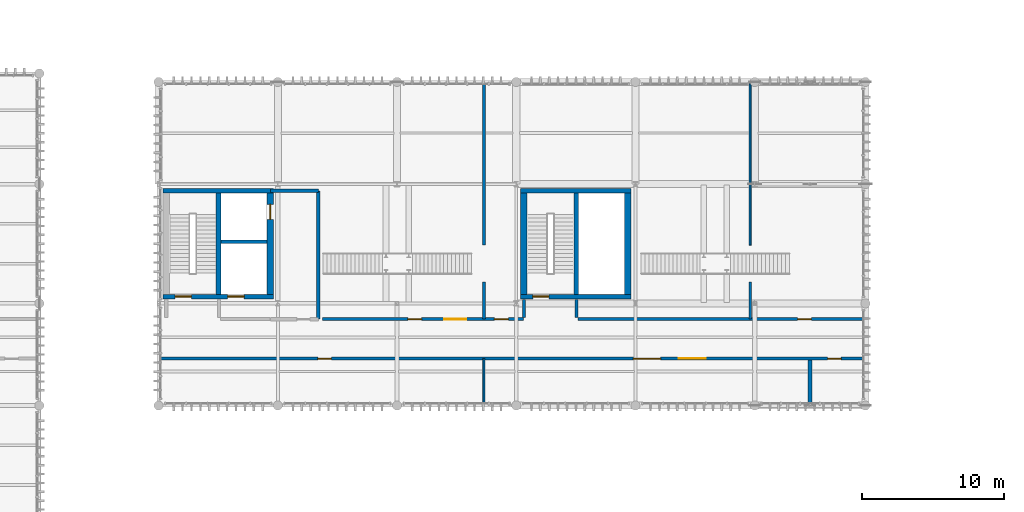
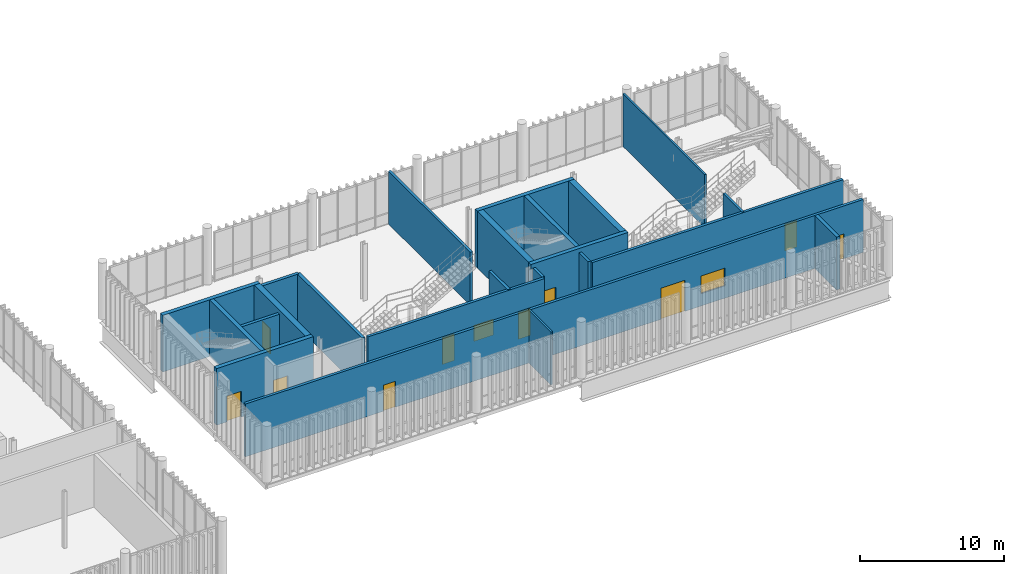
# One storey, part 73 of 86: 23 walls, 10 doors, 2 windows, 12 openings.
"""IFC4 building model written with IfcOpenShell, lengths in metres."""

from ifc_helpers import new_model, si_unit, direction, frame, frame_2d, origin_with_axes, place, context, subcontext, project, spatial, rectangle, extrude, material, layer, layer_set, type_object, element, fill, save


model = new_model("IFC4")

# Units and contexts
model_context = context("Model", 3, precision=1e-05, world=origin_with_axes(), true_north=direction((0.0, 1.0)))
body_context = subcontext(model_context, "Body", "Model", "MODEL_VIEW")
ifc_project = project(units=[si_unit("LENGTHUNIT", "METRE"), si_unit("AREAUNIT", "SQUARE_METRE"), si_unit("VOLUMEUNIT", "CUBIC_METRE"), si_unit("PLANEANGLEUNIT", "RADIAN"), si_unit("MASSUNIT", "GRAM", prefix="KILO"), si_unit("THERMODYNAMICTEMPERATUREUNIT", "KELVIN")], contexts=[model_context])

# Site, building, storey
site_placement = place(None, origin_with_axes())
site = spatial("IfcSite", under=ifc_project, at=site_placement, CompositionType="ELEMENT")
building_placement = place(site_placement, origin_with_axes())
building = spatial("IfcBuilding", under=site, at=building_placement, Name="Montbau Bow Law Courts", CompositionType="ELEMENT")
storey_placement = place(building_placement, frame((0.0, 0.0, 29.7), z_axis=(0.0, 0.0, 1.0), x_axis=(1.0, 0.0, 0.0)))
storey = spatial("IfcBuildingStorey", under=building, at=storey_placement, Name="L06", CompositionType="ELEMENT", Elevation=29.7)

# Wall, opening, door
ifc_material_1 = material(Name="Concrete CSA A23.1 f'c 45 MPa", Category="concrete")
ifc_layer_1 = layer(ifc_material_1, 0.45, Name="Shear Wall", Category="concrete")
ifc_layer_set_1 = layer_set([ifc_layer_1], Name="Concrete CSA A23.1 f'c 45 MPa")
wall_type_1 = type_object("IfcWallType", Name="W-COR-02", PredefinedType="SHEAR", material=ifc_layer_set_1)
wall_1_placement = place(None, frame((63.06, 46.84, 29.7), z_axis=(0.0, 0.0, 1.0), x_axis=(0.0, 1.0, 0.0)))
wall_1 = element("IfcWall", 1, at=wall_1_placement, inside=storey, type_object=wall_type_1, Name="WC-L06-0198:wal_0265", PredefinedType="SHEAR", context=body_context, shape_type="SweptSolid", body=[
    extrude(rectangle(XDim=7.119999999999997, YDim=0.45, at=frame_2d((3.56, 0.0), x_axis=(1.0, 0.0))), origin_with_axes(), (0.0, 0.0, 1.0), 4.8),
])
opening_1_placement = place(None, frame((63.06, 52.64, 29.7), z_axis=(0.0, 0.0, 1.0), x_axis=(0.0, 1.0, 0.0)))
opening_1 = element("IfcOpeningElement", 2, at=opening_1_placement, cuts=wall_1, Name="OP-LD-L06-EL-J3", PredefinedType="OPENING", context=body_context, shape_type="SweptSolid", body=[
    extrude(rectangle(XDim=1.06, YDim=2.16, at=frame_2d((0.0, 1.08), x_axis=(1.0, 0.0))), frame((0.0, 0.235, 0.0), z_axis=(0.0, -1.0, 0.0), x_axis=(1.0, 0.0, 0.0)), (0.0, 0.0, 1.0), 0.47),
])
ifc_material_2 = material(Name="Bronze-Clad Judicial Elevator Landing Door", Category="steel")
door_type_1 = type_object("IfcDoorType", Name="LD-JUD-01", OperationType="NOTDEFINED", ParameterTakesPrecedence=False, PredefinedType="DOOR", material=ifc_material_2)
door_1_placement = place(None, frame((63.06, 52.64, 29.7), z_axis=(0.0, 0.0, 1.0), x_axis=(0.0, 1.0, 0.0)))
door_1 = element("IfcDoor", 3, at=door_1_placement, inside=storey, type_object=door_type_1, Name="LD-L06-EL-J3:dor_0119", OperationType="SLIDING_TO_LEFT", OverallHeight=2.16, OverallWidth=1.06, PredefinedType="DOOR", context=body_context, shape_type="SweptSolid", body=[
    extrude(rectangle(XDim=1.06, YDim=2.16, at=frame_2d((0.0, 1.08), x_axis=(1.0, 0.0))), frame((0.0, 0.04, 0.0), z_axis=(0.0, -1.0, 0.0), x_axis=(1.0, 0.0, 0.0)), (0.0, 0.0, 1.0), 0.08),
])
fill(opening_1, door_1)

# Walls
for number, where, z_axis, x_axis, name in (
    (4, (88.26, 46.84, 29.7), (0.0, 0.0, 1.0), (0.0, 1.0, 0.0), "WC-L06-0251:wal_0318"),
    (5, (80.94, 53.96, 29.7), (0.0, 0.0, 1.0), (0.0, -1.0, 0.0), "WC-L06-0252:wal_0319"),
):
    element("IfcWall", number, at=place(None, frame(where, z_axis=z_axis, x_axis=x_axis)), inside=storey, type_object=wall_type_1, Name=name, PredefinedType="SHEAR", context=body_context, shape_type="SweptSolid", body=[
        extrude(rectangle(XDim=7.119999999999997, YDim=0.45, at=frame_2d((3.56, 0.0), x_axis=(1.0, 0.0))), origin_with_axes(), (0.0, 0.0, 1.0), 4.8),
    ])

# Wall, openings, doors
ifc_layer_2 = layer(ifc_material_1, 0.32, Name="Shear Wall", Category="concrete")
ifc_layer_set_2 = layer_set([ifc_layer_2], Name="Concrete CSA A23.1 f'c 45 MPa")
wall_type_2 = type_object("IfcWallType", Name="W-COR-05", PredefinedType="SHEAR", material=ifc_layer_set_2)
wall_2_placement = place(None, frame((55.515, 46.68, 29.7), z_axis=(0.0, 0.0, 1.0), x_axis=(1.0, 0.0, 0.0)))
wall_2 = element("IfcWall", 6, at=wall_2_placement, inside=storey, type_object=wall_type_2, Name="WC-L06-0196:wal_0263", PredefinedType="SHEAR", context=body_context, shape_type="SweptSolid", body=[
    extrude(rectangle(XDim=7.769999999999996, YDim=0.32, at=frame_2d((3.885, 0.0), x_axis=(1.0, 0.0))), origin_with_axes(), (0.0, 0.0, 1.0), 4.8),
])
opening_2_placement = place(None, frame((56.935, 46.68, 29.7), z_axis=(0.0, 0.0, 1.0), x_axis=(1.0, 0.0, 0.0)))
opening_2 = element("IfcOpeningElement", 7, at=opening_2_placement, cuts=wall_2, Name="OP-D-L06-ST-P4", PredefinedType="OPENING", context=body_context, shape_type="SweptSolid", body=[
    extrude(rectangle(XDim=1.14, YDim=2.18, at=frame_2d((0.0, 1.09), x_axis=(1.0, 0.0))), frame((0.0, 0.17, 0.0), z_axis=(0.0, -1.0, 0.0), x_axis=(1.0, 0.0, 0.0)), (0.0, 0.0, 1.0), 0.34),
])
opening_3_placement = place(None, frame((60.65, 46.68, 29.7), z_axis=(0.0, 0.0, 1.0), x_axis=(1.0, 0.0, 0.0)))
opening_3 = element("IfcOpeningElement", 8, at=opening_3_placement, cuts=wall_2, Name="OP-LD-L06-EL-P3", PredefinedType="OPENING", context=body_context, shape_type="SweptSolid", body=[
    extrude(rectangle(XDim=1.16, YDim=2.2, at=frame_2d((0.0, 1.1), x_axis=(1.0, 0.0))), frame((0.0, 0.17, 0.0), z_axis=(0.0, -1.0, 0.0), x_axis=(1.0, 0.0, 0.0)), (0.0, 0.0, 1.0), 0.34),
])
ifc_material_3 = material(Name="1.5 h Fire-Rated Hollow-Metal Exit Stair Door", Category="steel")
door_type_2 = type_object("IfcDoorType", Name="D-ST-01", OperationType="NOTDEFINED", ParameterTakesPrecedence=False, PredefinedType="DOOR", material=ifc_material_3)
door_2_placement = place(None, frame((56.935, 46.68, 29.7), z_axis=(0.0, 0.0, 1.0), x_axis=(-1.0, 0.0, 0.0)))
door_2 = element("IfcDoor", 9, at=door_2_placement, inside=storey, type_object=door_type_2, Name="D-L06-ST-P4:dor_0117", OperationType="SINGLE_SWING_RIGHT", OverallHeight=2.18, OverallWidth=1.14, PredefinedType="DOOR", context=body_context, shape_type="SweptSolid", body=[
    extrude(rectangle(XDim=1.14, YDim=2.18, at=frame_2d((0.0, 1.09), x_axis=(1.0, 0.0))), frame((0.0, 0.04, 0.0), z_axis=(0.0, -1.0, 0.0), x_axis=(1.0, 0.0, 0.0)), (0.0, 0.0, 1.0), 0.08),
])
fill(opening_2, door_2)
ifc_material_4 = material(Name="Brushed Stainless Steel Elevator Landing Door", Category="steel")
door_type_3 = type_object("IfcDoorType", Name="LD-PUB-01", OperationType="NOTDEFINED", ParameterTakesPrecedence=False, PredefinedType="DOOR", material=ifc_material_4)
door_3_placement = place(None, frame((60.65, 46.68, 29.7), z_axis=(0.0, 0.0, 1.0), x_axis=(-1.0, 0.0, 0.0)))
door_3 = element("IfcDoor", 10, at=door_3_placement, inside=storey, type_object=door_type_3, Name="LD-L06-EL-P3:dor_0118", OperationType="SLIDING_TO_LEFT", OverallHeight=2.2, OverallWidth=1.16, PredefinedType="DOOR", context=body_context, shape_type="SweptSolid", body=[
    extrude(rectangle(XDim=1.16, YDim=2.2, at=frame_2d((0.0, 1.1), x_axis=(1.0, 0.0))), frame((0.0, 0.04, 0.0), z_axis=(0.0, -1.0, 0.0), x_axis=(1.0, 0.0, 0.0)), (0.0, 0.0, 1.0), 0.08),
])
fill(opening_3, door_3)

# Walls
wall_3_placement = place(None, frame((63.285, 54.12, 29.7), z_axis=(0.0, 0.0, 1.0), x_axis=(-1.0, 0.0, 0.0)))
element("IfcWall", 11, at=wall_3_placement, inside=storey, type_object=wall_type_2, Name="WC-L06-0197:wal_0264", PredefinedType="SHEAR", context=body_context, shape_type="SweptSolid", body=[
    extrude(rectangle(XDim=7.769999999999996, YDim=0.32, at=frame_2d((3.885, 0.0), x_axis=(1.0, 0.0))), origin_with_axes(), (0.0, 0.0, 1.0), 4.8),
])
wall_4_placement = place(None, frame((59.42, 46.84, 29.7), z_axis=(0.0, 0.0, 1.0), x_axis=(0.0, 1.0, 0.0)))
element("IfcWall", 12, at=wall_4_placement, inside=storey, type_object=wall_type_2, Name="WS-L06-0200:wal_0267", PredefinedType="SHEAR", context=body_context, shape_type="SweptSolid", body=[
    extrude(rectangle(XDim=7.119999999999997, YDim=0.32, at=frame_2d((3.56, 0.0), x_axis=(1.0, 0.0))), origin_with_axes(), (0.0, 0.0, 1.0), 4.8),
])

# Wall, opening, door
wall_5_placement = place(None, frame((80.715, 46.68, 29.7), z_axis=(0.0, 0.0, 1.0), x_axis=(1.0, 0.0, 0.0)))
wall_5 = element("IfcWall", 13, at=wall_5_placement, inside=storey, type_object=wall_type_2, Name="WC-L06-0249:wal_0316", PredefinedType="SHEAR", context=body_context, shape_type="SweptSolid", body=[
    extrude(rectangle(XDim=7.769999999999996, YDim=0.32, at=frame_2d((3.885, 0.0), x_axis=(1.0, 0.0))), origin_with_axes(), (0.0, 0.0, 1.0), 4.8),
])
opening_4_placement = place(None, frame((82.135, 46.68, 29.7), z_axis=(0.0, 0.0, 1.0), x_axis=(1.0, 0.0, 0.0)))
opening_4 = element("IfcOpeningElement", 14, at=opening_4_placement, cuts=wall_5, Name="OP-D-L06-ST-P3", PredefinedType="OPENING", context=body_context, shape_type="SweptSolid", body=[
    extrude(rectangle(XDim=1.14, YDim=2.18, at=frame_2d((0.0, 1.09), x_axis=(1.0, 0.0))), frame((0.0, 0.17, 0.0), z_axis=(0.0, -1.0, 0.0), x_axis=(1.0, 0.0, 0.0)), (0.0, 0.0, 1.0), 0.34),
])
door_4_placement = place(None, frame((82.135, 46.68, 29.7), z_axis=(0.0, 0.0, 1.0), x_axis=(-1.0, 0.0, 0.0)))
door_4 = element("IfcDoor", 15, at=door_4_placement, inside=storey, type_object=door_type_2, Name="D-L06-ST-P3:dor_0132", OperationType="SINGLE_SWING_RIGHT", OverallHeight=2.18, OverallWidth=1.14, PredefinedType="DOOR", context=body_context, shape_type="SweptSolid", body=[
    extrude(rectangle(XDim=1.14, YDim=2.18, at=frame_2d((0.0, 1.09), x_axis=(1.0, 0.0))), frame((0.0, 0.04, 0.0), z_axis=(0.0, -1.0, 0.0), x_axis=(1.0, 0.0, 0.0)), (0.0, 0.0, 1.0), 0.08),
])
fill(opening_4, door_4)

# Walls
wall_6_placement = place(None, frame((88.485, 54.12, 29.7), z_axis=(0.0, 0.0, 1.0), x_axis=(-1.0, 0.0, 0.0)))
element("IfcWall", 16, at=wall_6_placement, inside=storey, type_object=wall_type_2, Name="WC-L06-0250:wal_0317", PredefinedType="SHEAR", context=body_context, shape_type="SweptSolid", body=[
    extrude(rectangle(XDim=7.769999999999996, YDim=0.32, at=frame_2d((3.885, 0.0), x_axis=(1.0, 0.0))), origin_with_axes(), (0.0, 0.0, 1.0), 4.8),
])
wall_7_placement = place(None, frame((84.62, 46.84, 29.7), z_axis=(0.0, 0.0, 1.0), x_axis=(0.0, 1.0, 0.0)))
element("IfcWall", 17, at=wall_7_placement, inside=storey, type_object=wall_type_2, Name="WS-L06-0253:wal_0320", PredefinedType="SHEAR", context=body_context, shape_type="SweptSolid", body=[
    extrude(rectangle(XDim=7.119999999999997, YDim=0.32, at=frame_2d((3.56, 0.0), x_axis=(1.0, 0.0))), origin_with_axes(), (0.0, 0.0, 1.0), 4.8),
])
ifc_material_5 = material(Name="Double-Stud Acoustic Plumbing Chase Gypsum Assembly", Category="gypsum")
ifc_layer_3 = layer(ifc_material_5, 0.26, Name="Plumbing Wall", Category="gypsum")
ifc_layer_set_3 = layer_set([ifc_layer_3], Name="Double-Stud Acoustic Plumbing Chase Gypsum Assembly")
wall_type_3 = type_object("IfcWallType", Name="W-PLM-01", PredefinedType="PLUMBINGWALL", material=ifc_layer_set_3)
wall_8_placement = place(None, frame((101.09, 39.18, 29.7), z_axis=(0.0, 0.0, 1.0), x_axis=(0.0, 1.0, 0.0)))
element("IfcWall", 18, at=wall_8_placement, inside=storey, type_object=wall_type_3, Name="WD-L06-0891:wal_0958", PredefinedType="PLUMBINGWALL", context=body_context, shape_type="SweptSolid", body=[
    extrude(rectangle(XDim=3.030000000000001, YDim=0.26, at=frame_2d((1.515, 0.0), x_axis=(1.0, 0.0))), origin_with_axes(), (0.0, 0.0, 1.0), 4.48),
])
ifc_material_6 = material(Name="2 h Shaft and Exit-Passage Fire Separation Partition", Category="gypsum")
ifc_layer_4 = layer(ifc_material_6, 0.25, Name="Partition", Category="gypsum")
ifc_layer_set_4 = layer_set([ifc_layer_4], Name="2 h Shaft and Exit-Passage Fire Separation Partition")
wall_type_4 = type_object("IfcWallType", Name="W-PRT-01", PredefinedType="PARTITIONING", material=ifc_layer_set_4)
wall_9_placement = place(None, frame((59.58, 50.549, 29.7), z_axis=(0.0, 0.0, 1.0), x_axis=(1.0, 0.0, 0.0)))
element("IfcWall", 19, at=wall_9_placement, inside=storey, type_object=wall_type_4, Name="WS-L06-0201:wal_0268", PredefinedType="PARTITIONING", context=body_context, shape_type="SweptSolid", body=[
    extrude(rectangle(XDim=3.2550000000000026, YDim=0.25, at=frame_2d((1.6275, 0.0), x_axis=(1.0, 0.0))), origin_with_axes(), (0.0, 0.0, 1.0), 4.48),
])
wall_10_placement = place(None, frame((66.46, 45.09, 29.7), z_axis=(0.0, 0.0, 1.0), x_axis=(0.0, 1.0, 0.0)))
element("IfcWall", 20, at=wall_10_placement, inside=storey, type_object=wall_type_4, Name="WEL-L06-0202:wal_0269", PredefinedType="PARTITIONING", context=body_context, shape_type="SweptSolid", body=[
    extrude(rectangle(XDim=9.029999999999994, YDim=0.25, at=frame_2d((4.515, 0.0), x_axis=(1.0, 0.0))), origin_with_axes(), (0.0, 0.0, 1.0), 4.48),
])
wall_11_placement = place(None, frame((63.1, 54.12, 29.7), z_axis=(0.0, 0.0, 1.0), x_axis=(1.0, 0.0, 0.0)))
element("IfcWall", 21, at=wall_11_placement, inside=storey, type_object=wall_type_4, Name="WEL-L06-0203:wal_0270", PredefinedType="PARTITIONING", context=body_context, shape_type="SweptSolid", body=[
    extrude(rectangle(XDim=3.3599999999999923, YDim=0.25, at=frame_2d((1.68, 0.0), x_axis=(1.0, 0.0))), origin_with_axes(), (0.0, 0.0, 1.0), 4.48),
])
ifc_material_7 = material(Name="STC-60 High-Acoustic Courtroom Perimeter Partition", Category="gypsum")
ifc_layer_5 = layer(ifc_material_7, 0.22, Name="Partition", Category="gypsum")
ifc_layer_set_5 = layer_set([ifc_layer_5], Name="STC-60 High-Acoustic Courtroom Perimeter Partition")
wall_type_5 = type_object("IfcWallType", Name="W-PRT-02", PredefinedType="PARTITIONING", material=ifc_layer_set_5)
for number, where, z_axis, x_axis, name in (
    (22, (80.94, 45.22, 29.7), (0.0, 0.0, 1.0), (0.0, 1.0, 0.0), "WCX-L06-0885:wal_0952"),
    (23, (84.65, 45.22, 29.7), (0.0, 0.0, 1.0), (0.0, 1.0, 0.0), "WCX-L06-0886:wal_0953"),
):
    element("IfcWall", number, at=place(None, frame(where, z_axis=z_axis, x_axis=x_axis)), inside=storey, type_object=wall_type_5, Name=name, PredefinedType="PARTITIONING", context=body_context, shape_type="SweptSolid", body=[
        extrude(rectangle(XDim=1.259999999999998, YDim=0.22, at=frame_2d((0.63, 0.0), x_axis=(1.0, 0.0))), origin_with_axes(), (0.0, 0.0, 1.0), 4.48),
    ])

# Wall, openings, doors, window
wall_12_placement = place(None, frame((66.755, 45.09, 29.7), z_axis=(0.0, 0.0, 1.0), x_axis=(1.0, 0.0, 0.0)))
wall_12 = element("IfcWall", 24, at=wall_12_placement, inside=storey, type_object=wall_type_5, Name="WP-L06-0888:wal_0955", PredefinedType="PARTITIONING", context=body_context, shape_type="SweptSolid", body=[
    extrude(rectangle(XDim=14.14500000000001, YDim=0.22, at=frame_2d((7.0725, 0.0), x_axis=(1.0, 0.0))), origin_with_axes(), (0.0, 0.0, 1.0), 4.48),
])
opening_5_placement = place(None, frame((73.252, 45.09, 29.7), z_axis=(0.0, 0.0, 1.0), x_axis=(1.0, 0.0, 0.0)))
opening_5 = element("IfcOpeningElement", 25, at=opening_5_placement, cuts=wall_12, Name="OP-D-L06-376", PredefinedType="OPENING", context=body_context, shape_type="SweptSolid", body=[
    extrude(rectangle(XDim=0.97, YDim=2.26, at=frame_2d((0.0, 1.13), x_axis=(1.0, 0.0))), frame((0.0, 0.12, 0.0), z_axis=(0.0, -1.0, 0.0), x_axis=(1.0, 0.0, 0.0)), (0.0, 0.0, 1.0), 0.24),
])
opening_6_placement = place(None, frame((79.351, 45.09, 29.7), z_axis=(0.0, 0.0, 1.0), x_axis=(1.0, 0.0, 0.0)))
opening_6 = element("IfcOpeningElement", 26, at=opening_6_placement, cuts=wall_12, Name="OP-D-L06-377", PredefinedType="OPENING", context=body_context, shape_type="SweptSolid", body=[
    extrude(rectangle(XDim=0.97, YDim=2.26, at=frame_2d((0.0, 1.13), x_axis=(1.0, 0.0))), frame((0.0, 0.12, 0.0), z_axis=(0.0, -1.0, 0.0), x_axis=(1.0, 0.0, 0.0)), (0.0, 0.0, 1.0), 0.24),
])
opening_7_placement = place(None, frame((76.092, 45.09, 30.75), z_axis=(0.0, 0.0, 1.0), x_axis=(1.0, 0.0, 0.0)))
opening_7 = element("IfcOpeningElement", 27, at=opening_7_placement, cuts=wall_12, Name="OP-WI-L06-16", PredefinedType="OPENING", context=body_context, shape_type="SweptSolid", body=[
    extrude(rectangle(XDim=1.55, YDim=1.35, at=frame_2d((0.0, 0.675), x_axis=(1.0, 0.0))), frame((0.0, 0.12, 0.0), z_axis=(0.0, -1.0, 0.0), x_axis=(1.0, 0.0, 0.0)), (0.0, 0.0, 1.0), 0.24),
])
ifc_material_8 = material(Name="Legal Stacks and Rare-Book Room Oak Door", Category="wood")
door_type_4 = type_object("IfcDoorType", Name="D-LIB-02", OperationType="NOTDEFINED", ParameterTakesPrecedence=False, PredefinedType="DOOR", material=ifc_material_8)
door_5_placement = place(None, frame((73.252, 45.09, 29.7), z_axis=(0.0, 0.0, 1.0), x_axis=(-1.0, 0.0, 0.0)))
door_5 = element("IfcDoor", 28, at=door_5_placement, inside=storey, type_object=door_type_4, Name="D-L06-376:dor_0411", OperationType="SINGLE_SWING_RIGHT", OverallHeight=2.26, OverallWidth=0.97, PredefinedType="DOOR", context=body_context, shape_type="SweptSolid", body=[
    extrude(rectangle(XDim=0.97, YDim=2.26, at=frame_2d((0.0, 1.13), x_axis=(1.0, 0.0))), frame((0.0, 0.04, 0.0), z_axis=(0.0, -1.0, 0.0), x_axis=(1.0, 0.0, 0.0)), (0.0, 0.0, 1.0), 0.08),
])
fill(opening_5, door_5)
door_6_placement = place(None, frame((79.351, 45.09, 29.7), z_axis=(0.0, 0.0, 1.0), x_axis=(-1.0, 0.0, 0.0)))
door_6 = element("IfcDoor", 29, at=door_6_placement, inside=storey, type_object=door_type_4, Name="D-L06-377:dor_0412", OperationType="SINGLE_SWING_LEFT", OverallHeight=2.26, OverallWidth=0.97, PredefinedType="DOOR", context=body_context, shape_type="SweptSolid", body=[
    extrude(rectangle(XDim=0.97, YDim=2.26, at=frame_2d((0.0, 1.13), x_axis=(1.0, 0.0))), frame((0.0, 0.04, 0.0), z_axis=(0.0, -1.0, 0.0), x_axis=(1.0, 0.0, 0.0)), (0.0, 0.0, 1.0), 0.08),
])
fill(opening_6, door_6)
ifc_material_9 = material(Name="Registry Counter Security Pass-Through Glazing", Category="glass")
window_type_1 = type_object("IfcWindowType", Name="WN-INT-02", ParameterTakesPrecedence=False, PartitioningType="SINGLE_PANEL", PredefinedType="WINDOW", material=ifc_material_9)
window_1_placement = place(None, frame((76.092, 45.09, 30.75), z_axis=(0.0, 0.0, 1.0), x_axis=(1.0, 0.0, 0.0)))
window_1 = element("IfcWindow", 30, at=window_1_placement, inside=storey, type_object=window_type_1, Name="WI-L06-16:win_0138", OverallHeight=1.35, OverallWidth=1.55, PartitioningType="SINGLE_PANEL", PredefinedType="WINDOW", context=body_context, shape_type="SweptSolid", body=[
    extrude(rectangle(XDim=1.55, YDim=1.35, at=frame_2d((0.0, 0.675), x_axis=(1.0, 0.0))), frame((0.0, 0.03, 0.0), z_axis=(0.0, -1.0, 0.0), x_axis=(1.0, 0.0, 0.0)), (0.0, 0.0, 1.0), 0.06),
])
fill(opening_7, window_1)

# Wall, opening, door
wall_13_placement = place(None, frame((84.75, 45.09, 29.7), z_axis=(0.0, 0.0, 1.0), x_axis=(1.0, 0.0, 0.0)))
wall_13 = element("IfcWall", 31, at=wall_13_placement, inside=storey, type_object=wall_type_5, Name="WP-L06-0889:wal_0956", PredefinedType="PARTITIONING", context=body_context, shape_type="SweptSolid", body=[
    extrude(rectangle(XDim=20.11, YDim=0.22, at=frame_2d((10.055, 0.0), x_axis=(1.0, 0.0))), origin_with_axes(), (0.0, 0.0, 1.0), 4.48),
])
opening_8_placement = place(None, frame((100.709, 45.09, 29.7), z_axis=(0.0, 0.0, 1.0), x_axis=(1.0, 0.0, 0.0)))
opening_8 = element("IfcOpeningElement", 32, at=opening_8_placement, cuts=wall_13, Name="OP-D-L06-378", PredefinedType="OPENING", context=body_context, shape_type="SweptSolid", body=[
    extrude(rectangle(XDim=0.97, YDim=2.26, at=frame_2d((0.0, 1.13), x_axis=(1.0, 0.0))), frame((0.0, 0.12, 0.0), z_axis=(0.0, -1.0, 0.0), x_axis=(1.0, 0.0, 0.0)), (0.0, 0.0, 1.0), 0.24),
])
door_7_placement = place(None, frame((100.709, 45.09, 29.7), z_axis=(0.0, 0.0, 1.0), x_axis=(-1.0, 0.0, 0.0)))
door_7 = element("IfcDoor", 33, at=door_7_placement, inside=storey, type_object=door_type_4, Name="D-L06-378:dor_0413", OperationType="SINGLE_SWING_RIGHT", OverallHeight=2.26, OverallWidth=0.97, PredefinedType="DOOR", context=body_context, shape_type="SweptSolid", body=[
    extrude(rectangle(XDim=0.97, YDim=2.26, at=frame_2d((0.0, 1.13), x_axis=(1.0, 0.0))), frame((0.0, 0.04, 0.0), z_axis=(0.0, -1.0, 0.0), x_axis=(1.0, 0.0, 0.0)), (0.0, 0.0, 1.0), 0.08),
])
fill(opening_8, door_7)

# Wall, openings, doors, window
wall_14_placement = place(None, frame((55.34, 42.31, 29.7), z_axis=(0.0, 0.0, 1.0), x_axis=(1.0, 0.0, 0.0)))
wall_14 = element("IfcWall", 34, at=wall_14_placement, inside=storey, type_object=wall_type_5, Name="WP-L06-0890:wal_0957", PredefinedType="PARTITIONING", context=body_context, shape_type="SweptSolid", body=[
    extrude(rectangle(XDim=49.519999999999996, YDim=0.22, at=frame_2d((24.76, 0.0), x_axis=(1.0, 0.0))), origin_with_axes(), (0.0, 0.0, 1.0), 4.48),
])
opening_9_placement = place(None, frame((66.895, 42.31, 29.7), z_axis=(0.0, 0.0, 1.0), x_axis=(1.0, 0.0, 0.0)))
opening_9 = element("IfcOpeningElement", 35, at=opening_9_placement, cuts=wall_14, Name="OP-D-L06-379", PredefinedType="OPENING", context=body_context, shape_type="SweptSolid", body=[
    extrude(rectangle(XDim=0.96, YDim=2.2, at=frame_2d((0.0, 1.1), x_axis=(1.0, 0.0))), frame((0.0, 0.12, 0.0), z_axis=(0.0, -1.0, 0.0), x_axis=(1.0, 0.0, 0.0)), (0.0, 0.0, 1.0), 0.24),
])
opening_10_placement = place(None, frame((89.608, 42.31, 29.7), z_axis=(0.0, 0.0, 1.0), x_axis=(1.0, 0.0, 0.0)))
opening_10 = element("IfcOpeningElement", 36, at=opening_10_placement, cuts=wall_14, Name="OP-D-L06-380", PredefinedType="OPENING", context=body_context, shape_type="SweptSolid", body=[
    extrude(rectangle(XDim=1.92, YDim=2.64, at=frame_2d((0.0, 1.32), x_axis=(1.0, 0.0))), frame((0.0, 0.12, 0.0), z_axis=(0.0, -1.0, 0.0), x_axis=(1.0, 0.0, 0.0)), (0.0, 0.0, 1.0), 0.24),
])
opening_11_placement = place(None, frame((102.813, 42.31, 29.7), z_axis=(0.0, 0.0, 1.0), x_axis=(1.0, 0.0, 0.0)))
opening_11 = element("IfcOpeningElement", 37, at=opening_11_placement, cuts=wall_14, Name="OP-D-L06-381", PredefinedType="OPENING", context=body_context, shape_type="SweptSolid", body=[
    extrude(rectangle(XDim=0.95, YDim=2.1, at=frame_2d((0.0, 1.05), x_axis=(1.0, 0.0))), frame((0.0, 0.12, 0.0), z_axis=(0.0, -1.0, 0.0), x_axis=(1.0, 0.0, 0.0)), (0.0, 0.0, 1.0), 0.24),
])
opening_12_placement = place(None, frame((92.798, 42.31, 30.75), z_axis=(0.0, 0.0, 1.0), x_axis=(1.0, 0.0, 0.0)))
opening_12 = element("IfcOpeningElement", 38, at=opening_12_placement, cuts=wall_14, Name="OP-WI-L06-17", PredefinedType="OPENING", context=body_context, shape_type="SweptSolid", body=[
    extrude(rectangle(XDim=1.9, YDim=1.5, at=frame_2d((0.0, 0.75), x_axis=(1.0, 0.0))), frame((0.0, 0.12, 0.0), z_axis=(0.0, -1.0, 0.0), x_axis=(1.0, 0.0, 0.0)), (0.0, 0.0, 1.0), 0.24),
])
ifc_material_10 = material(Name="Resident Judge Chambers Solid White-Oak Door", Category="wood")
door_type_5 = type_object("IfcDoorType", Name="D-CHM-01", OperationType="NOTDEFINED", ParameterTakesPrecedence=False, PredefinedType="DOOR", material=ifc_material_10)
door_8_placement = place(None, frame((66.895, 42.31, 29.7), z_axis=(0.0, 0.0, 1.0), x_axis=(1.0, 0.0, 0.0)))
door_8 = element("IfcDoor", 39, at=door_8_placement, inside=storey, type_object=door_type_5, Name="D-L06-379:dor_0414", OperationType="SINGLE_SWING_LEFT", OverallHeight=2.2, OverallWidth=0.96, PredefinedType="DOOR", context=body_context, shape_type="SweptSolid", body=[
    extrude(rectangle(XDim=0.96, YDim=2.2, at=frame_2d((0.0, 1.1), x_axis=(1.0, 0.0))), frame((0.0, 0.04, 0.0), z_axis=(0.0, -1.0, 0.0), x_axis=(1.0, 0.0, 0.0)), (0.0, 0.0, 1.0), 0.08),
])
fill(opening_9, door_8)
ifc_material_11 = material(Name="Law Library Reading Hall Glazed Bronze-Oak Double Door", Category="wood")
door_type_6 = type_object("IfcDoorType", Name="D-LIB-01", OperationType="NOTDEFINED", ParameterTakesPrecedence=False, PredefinedType="DOOR", material=ifc_material_11)
door_9_placement = place(None, frame((89.608, 42.31, 29.7), z_axis=(0.0, 0.0, 1.0), x_axis=(1.0, 0.0, 0.0)))
door_9 = element("IfcDoor", 40, at=door_9_placement, inside=storey, type_object=door_type_6, Name="D-L06-380:dor_0415", OperationType="DOUBLE_DOOR_SINGLE_SWING", OverallHeight=2.64, OverallWidth=1.92, PredefinedType="DOOR", context=body_context, shape_type="SweptSolid", body=[
    extrude(rectangle(XDim=1.92, YDim=2.64, at=frame_2d((0.0, 1.32), x_axis=(1.0, 0.0))), frame((0.0, 0.04, 0.0), z_axis=(0.0, -1.0, 0.0), x_axis=(1.0, 0.0, 0.0)), (0.0, 0.0, 1.0), 0.08),
])
fill(opening_10, door_9)
ifc_material_12 = material(Name="CSA B651 Universal Barrier-Free Washroom Door", Category="wood")
door_type_7 = type_object("IfcDoorType", Name="D-WC-01", OperationType="NOTDEFINED", ParameterTakesPrecedence=False, PredefinedType="DOOR", material=ifc_material_12)
door_10_placement = place(None, frame((102.813, 42.31, 29.7), z_axis=(0.0, 0.0, 1.0), x_axis=(1.0, 0.0, 0.0)))
door_10 = element("IfcDoor", 41, at=door_10_placement, inside=storey, type_object=door_type_7, Name="D-L06-381:dor_0416", OperationType="SINGLE_SWING_RIGHT", OverallHeight=2.1, OverallWidth=0.95, PredefinedType="DOOR", context=body_context, shape_type="SweptSolid", body=[
    extrude(rectangle(XDim=0.95, YDim=2.1, at=frame_2d((0.0, 1.05), x_axis=(1.0, 0.0))), frame((0.0, 0.04, 0.0), z_axis=(0.0, -1.0, 0.0), x_axis=(1.0, 0.0, 0.0)), (0.0, 0.0, 1.0), 0.08),
])
fill(opening_11, door_10)
ifc_material_13 = material(Name="Fire-Rated Acoustic Borrowed-Light Interior Glazing", Category="glass")
window_type_2 = type_object("IfcWindowType", Name="WN-INT-01", ParameterTakesPrecedence=False, PartitioningType="SINGLE_PANEL", PredefinedType="WINDOW", material=ifc_material_13)
window_2_placement = place(None, frame((92.798, 42.31, 30.75), z_axis=(0.0, 0.0, 1.0), x_axis=(1.0, 0.0, 0.0)))
window_2 = element("IfcWindow", 42, at=window_2_placement, inside=storey, type_object=window_type_2, Name="WI-L06-17:win_0139", OverallHeight=1.5, OverallWidth=1.9, PartitioningType="SINGLE_PANEL", PredefinedType="WINDOW", context=body_context, shape_type="SweptSolid", body=[
    extrude(rectangle(XDim=1.9, YDim=1.5, at=frame_2d((0.0, 0.75), x_axis=(1.0, 0.0))), frame((0.0, 0.03, 0.0), z_axis=(0.0, -1.0, 0.0), x_axis=(1.0, 0.0, 0.0)), (0.0, 0.0, 1.0), 0.06),
])
fill(opening_12, window_2)

# Walls
wall_15_placement = place(None, frame((78.126, 45.09, 29.7), z_axis=(0.0, 0.0, 1.0), x_axis=(0.0, 1.0, 0.0)))
element("IfcWall", 43, at=wall_15_placement, inside=storey, type_object=wall_type_5, Name="WD-L06-0892:wal_0959", PredefinedType="PARTITIONING", context=body_context, shape_type="SweptSolid", body=[
    extrude(rectangle(XDim=2.6099999999999994, YDim=0.22, at=frame_2d((1.305, 0.0), x_axis=(1.0, 0.0))), origin_with_axes(), (0.0, 0.0, 1.0), 4.48),
])
ifc_material_14 = material(Name="STC-55 Jury Deliberation Security Partition", Category="gypsum")
ifc_layer_6 = layer(ifc_material_14, 0.2, Name="Partition", Category="gypsum")
ifc_layer_set_6 = layer_set([ifc_layer_6], Name="STC-55 Jury Deliberation Security Partition")
wall_type_6 = type_object("IfcWallType", Name="W-PRT-03", PredefinedType="PARTITIONING", material=ifc_layer_set_6)
wall_16_placement = place(None, frame((78.126, 50.3, 29.7), z_axis=(0.0, 0.0, 1.0), x_axis=(0.0, 1.0, 0.0)))
element("IfcWall", 44, at=wall_16_placement, inside=storey, type_object=wall_type_6, Name="WD-L06-0893:wal_0960", PredefinedType="PARTITIONING", context=body_context, shape_type="SweptSolid", body=[
    extrude(rectangle(XDim=11.36, YDim=0.2, at=frame_2d((5.68, 0.0), x_axis=(1.0, 0.0))), origin_with_axes(), (0.0, 0.0, 1.0), 4.48),
])
ifc_material_15 = material(Name="STC-52 Judicial Chambers Acoustic Partition", Category="gypsum")
ifc_layer_7 = layer(ifc_material_15, 0.16, Name="Partition", Category="gypsum")
ifc_layer_set_7 = layer_set([ifc_layer_7], Name="STC-52 Judicial Chambers Acoustic Partition")
wall_type_7 = type_object("IfcWallType", Name="W-PRT-05", PredefinedType="PARTITIONING", material=ifc_layer_set_7)
wall_17_placement = place(None, frame((96.882, 45.09, 29.7), z_axis=(0.0, 0.0, 1.0), x_axis=(0.0, 1.0, 0.0)))
element("IfcWall", 45, at=wall_17_placement, inside=storey, type_object=wall_type_7, Name="WD-L06-0894:wal_0961", PredefinedType="PARTITIONING", context=body_context, shape_type="SweptSolid", body=[
    extrude(rectangle(XDim=2.6099999999999994, YDim=0.16, at=frame_2d((1.305, 0.0), x_axis=(1.0, 0.0))), origin_with_axes(), (0.0, 0.0, 1.0), 4.48),
])
ifc_material_16 = material(Name="1 h Registry Office Steel-Stud Fire Partition", Category="gypsum")
ifc_layer_8 = layer(ifc_material_16, 0.14, Name="Partition", Category="gypsum")
ifc_layer_set_8 = layer_set([ifc_layer_8], Name="1 h Registry Office Steel-Stud Fire Partition")
wall_type_8 = type_object("IfcWallType", Name="W-PRT-06", PredefinedType="PARTITIONING", material=ifc_layer_set_8)
wall_18_placement = place(None, frame((96.882, 50.3, 29.7), z_axis=(0.0, 0.0, 1.0), x_axis=(0.0, 1.0, 0.0)))
element("IfcWall", 46, at=wall_18_placement, inside=storey, type_object=wall_type_8, Name="WD-L06-0895:wal_0962", PredefinedType="PARTITIONING", context=body_context, shape_type="SweptSolid", body=[
    extrude(rectangle(XDim=11.36, YDim=0.14, at=frame_2d((5.68, 0.0), x_axis=(1.0, 0.0))), origin_with_axes(), (0.0, 0.0, 1.0), 4.48),
])
wall_19_placement = place(None, frame((78.126, 39.14, 29.7), z_axis=(0.0, 0.0, 1.0), x_axis=(0.0, 1.0, 0.0)))
element("IfcWall", 47, at=wall_19_placement, inside=storey, type_object=wall_type_8, Name="WD-L06-0896:wal_0963", PredefinedType="PARTITIONING", context=body_context, shape_type="SweptSolid", body=[
    extrude(rectangle(XDim=3.1700000000000017, YDim=0.14, at=frame_2d((1.585, 0.0), x_axis=(1.0, 0.0))), origin_with_axes(), (0.0, 0.0, 1.0), 4.48),
])

save(model, "model.ifc")
